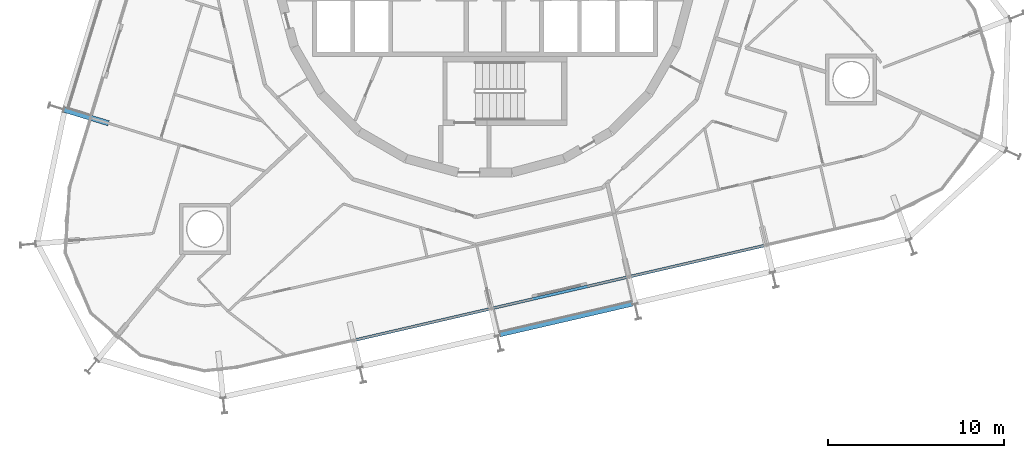
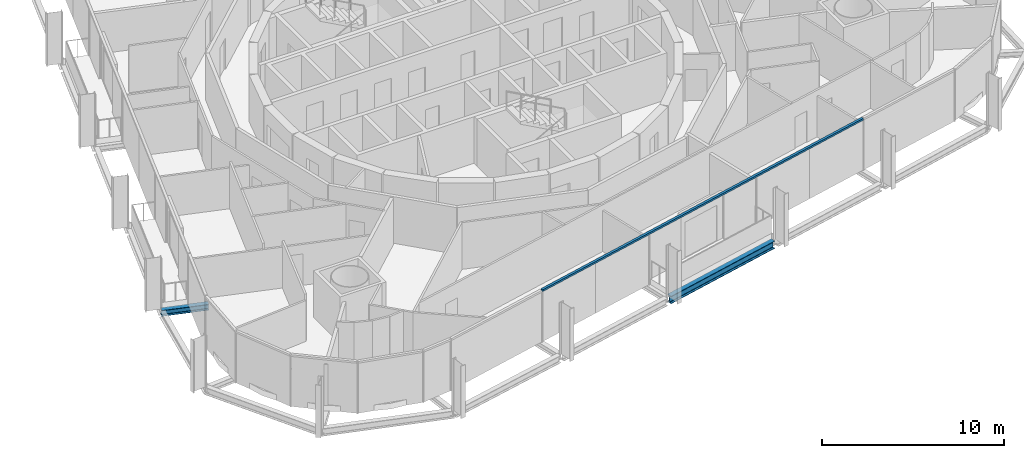
# One storey, part 4 of 18: 2 beams, 1 member, 1 element without a shape of its own.
"""IFC4 building model written with IfcOpenShell, lengths in metres."""

from ifc_helpers import new_model, si_unit, direction, frame, origin, origin_2d, place, context, subcontext, project, spatial, rectangle, i_section, extrude, material, layer, layer_set, material_profile, profile_set, type_object, element, aggregate, save


model = new_model("IFC4")

# Units and contexts
model_context = context("Model", 3, precision=1e-05, world=origin(), true_north=direction((0.0, 1.0)))
body_context = subcontext(model_context, "Body", "Model", "MODEL_VIEW")
ifc_project = project(units=[si_unit("LENGTHUNIT", "METRE"), si_unit("AREAUNIT", "SQUARE_METRE"), si_unit("VOLUMEUNIT", "CUBIC_METRE"), si_unit("PLANEANGLEUNIT", "RADIAN"), si_unit("MASSUNIT", "GRAM", prefix="KILO")], contexts=[model_context])

# Site, building, storey
site_placement = place(None, origin())
site = spatial("IfcSite", under=ifc_project, at=site_placement, CompositionType="ELEMENT")
building_placement = place(site_placement, origin())
building = spatial("IfcBuilding", under=site, at=building_placement, Name="Spindle Arch Residences", CompositionType="ELEMENT")
storey_placement = place(building_placement, frame((0.0, 0.0, 123.89990234375)))
storey = spatial("IfcBuildingStorey", under=building, at=storey_placement, Name="L30", CompositionType="ELEMENT", Elevation=123.89990234375)

# Curtain wall, member
ifc_material_1 = material(Name="Aluminium bronze unitised frame with tinted glass", Category="aluminium")
ifc_layer = layer(ifc_material_1, 0.159912109375)
ifc_layer_set = layer_set([ifc_layer], Name="CW-C typical residential unitised wall")
curtain_wall_type = type_object("IfcCurtainWallType", Name="CW-C typical residential unitised wall", PredefinedType="NOTDEFINED", material=ifc_layer_set)
curtain_wall_placement = place(storey_placement, origin())
curtain_wall = element("IfcCurtainWall", 1, at=curtain_wall_placement, inside=storey, type_object=curtain_wall_type, Name="CW-C L30 run 6", PredefinedType="NOTDEFINED")
ifc_material_2 = material(Name="Aluminium bronze anodised transom", Category="aluminium")
ifc_material_profile_1 = material_profile(ifc_material_2, rectangle(XDim=0.159912109375, YDim=0.1201171875, at=origin_2d()), Name="TR 120x160")
ifc_profile_set_1 = profile_set([ifc_material_profile_1], Name="Aluminium bronze anodised transom")
member_type = type_object("IfcMemberType", Name="Bronze transom 120x160", PredefinedType="USERDEFINED", material=ifc_profile_set_1)
member_placement = place(storey_placement, frame((-7.438232421875, -21.187255859375, 3.06005859375), z_axis=(0.974369784879, 0.224952266747, 0.0), x_axis=(-0.224952266747, 0.974369784879, 0.0)))
member = element("IfcMember", 2, at=member_placement, type_object=member_type, Name="CW-C transom 00", ObjectType="TRANSOM", PredefinedType="USERDEFINED", context=body_context, shape_type="SweptSolid", body=[
    extrude(rectangle(XDim=0.159912109375, YDim=0.1201171875, at=origin_2d()), origin(), (0.0, 0.0, 1.0), 24.02734375),
])
aggregate(curtain_wall, [member])

# Beams
ifc_material_3 = material(Name="Steel S460ML, intumescent coating R 120", Category="steel")
ifc_material_profile_2 = material_profile(ifc_material_3, i_section(OverallWidth=0.300048828125, OverallDepth=0.5, WebThickness=0.014404296875, FlangeThickness=0.028076171875, FilletRadius=0.027099609375, at=origin_2d()), Name="HEB 500")
ifc_profile_set_2 = profile_set([ifc_material_profile_2], Name="Steel S460ML, intumescent coating R 120")
beam_type_1 = type_object("IfcBeamType", Name="Exoskeleton edge beam HEB 500", PredefinedType="BEAM", material=ifc_profile_set_2)
beam_1_placement = place(storey_placement, frame((0.82666015625, -20.849365234375, -0.6298828125), z_axis=(0.974366827477, 0.224965076206, 0.0), x_axis=(-0.224965076206, 0.974366827477, 0.0)))
element("IfcBeam", 3, at=beam_1_placement, inside=storey, type_object=beam_type_1, Name="Exoskeleton edge beam 22", PredefinedType="BEAM", context=body_context, shape_type="SweptSolid", body=[
    extrude(i_section(OverallWidth=0.300048828125, OverallDepth=0.5, WebThickness=0.014404296875, FlangeThickness=0.028076171875, FilletRadius=0.027099609375, at=origin_2d()), origin(), (0.0, 0.0, 1.0), 7.769287109375),
])
ifc_material_4 = material(Name="Steel S460ML, intumescent coating R 120", Category="steel")
ifc_material_profile_3 = material_profile(ifc_material_4, i_section(OverallWidth=0.300048828125, OverallDepth=0.389892578125, WebThickness=0.010986328125, FlangeThickness=0.01904296875, FilletRadius=0.027099609375, at=origin_2d()), Name="HEA 400")
ifc_profile_set_3 = profile_set([ifc_material_profile_3], Name="Steel S460ML, intumescent coating R 120")
beam_type_2 = type_object("IfcBeamType", Name="Floor outrigger HEA 400", PredefinedType="BEAM", material=ifc_profile_set_3)
beam_2_placement = place(storey_placement, frame((-23.947265625, -8.0712890625, -0.574951171875), z_axis=(0.956291475666, -0.292415139091, 0.0), x_axis=(0.292415139091, 0.956291475666, 0.0)))
element("IfcBeam", 4, at=beam_2_placement, inside=storey, type_object=beam_type_2, Name="Floor outrigger 17", PredefinedType="BEAM", context=body_context, shape_type="SweptSolid", body=[
    extrude(i_section(OverallWidth=0.300048828125, OverallDepth=0.389892578125, WebThickness=0.010986328125, FlangeThickness=0.01904296875, FilletRadius=0.027099609375, at=origin_2d()), origin(), (0.0, 0.0, 1.0), 2.64990234375),
])

save(model, "model.ifc")
